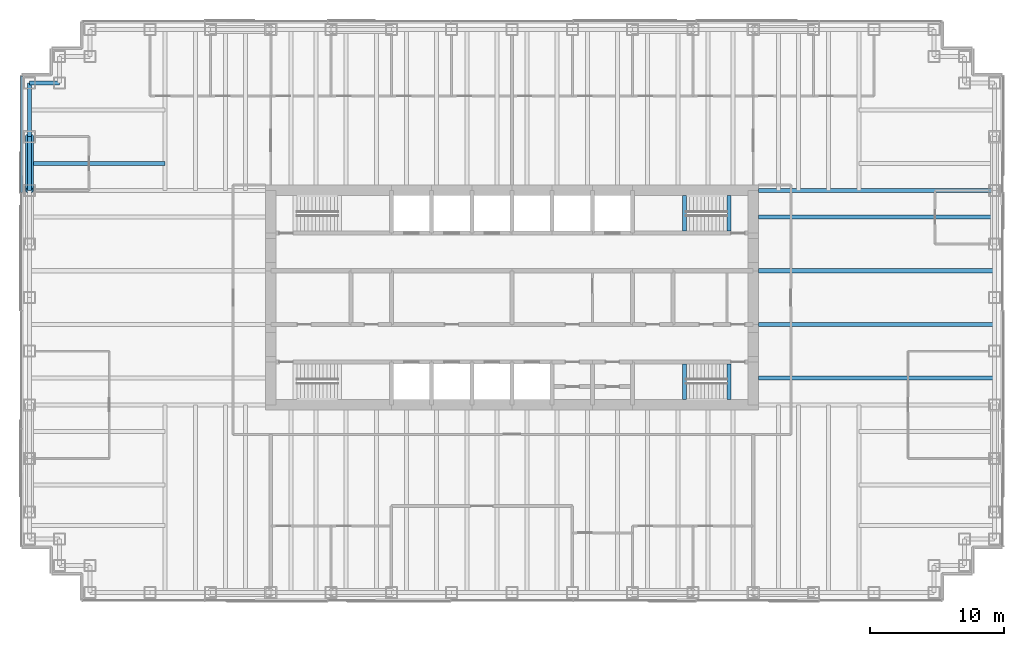
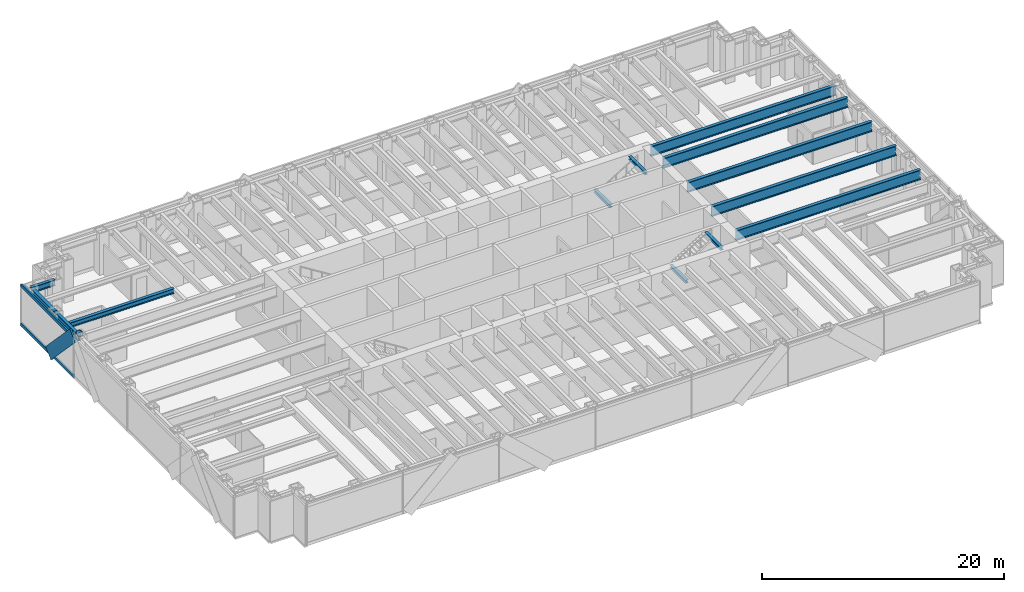
# One storey, part 4 of 17: 13 beams, 4 members, 1 element without a shape of its own.
"""IFC4 building model written with IfcOpenShell, lengths in metres."""

from ifc_helpers import new_model, si_unit, direction, frame, origin, origin_2d, place, context, subcontext, project, spatial, rectangle, hollow_circle, i_section, extrude, material, material_profile, profile_set, type_object, element, aggregate, save


model = new_model("IFC4")

# Units and contexts
model_context = context("Model", 3, precision=1e-05, world=origin(), true_north=direction((0.0, 1.0)))
body_context = subcontext(model_context, "Body", "Model", "MODEL_VIEW")
ifc_project = project(units=[si_unit("LENGTHUNIT", "METRE"), si_unit("AREAUNIT", "SQUARE_METRE"), si_unit("VOLUMEUNIT", "CUBIC_METRE"), si_unit("PLANEANGLEUNIT", "RADIAN"), si_unit("MASSUNIT", "GRAM", prefix="KILO")], contexts=[model_context])

# Site, building, storey
site_placement = place(None, origin())
site = spatial("IfcSite", under=ifc_project, at=site_placement, CompositionType="ELEMENT")
building_placement = place(site_placement, origin())
building = spatial("IfcBuilding", under=site, at=building_placement, Name="Rheinbord Bourse Tower", CompositionType="ELEMENT")
storey_placement = place(building_placement, frame((0.0, 0.0, 223.60009765625)))
storey = spatial("IfcBuildingStorey", under=building, at=storey_placement, Name="L50", CompositionType="ELEMENT", Elevation=223.60009765625)

# Curtain wall, members
ifc_material_1 = material(Name="Dark glass and black aluminium", Category="aluminium")
curtain_wall_type = type_object("IfcCurtainWallType", Name="CW2 DARK GLASS CURTAIN WALL", PredefinedType="USERDEFINED", material=ifc_material_1)
curtain_wall_placement = place(storey_placement, origin())
curtain_wall = element("IfcCurtainWall", 1, at=curtain_wall_placement, inside=storey, type_object=curtain_wall_type, Name="Curtain wall CW2 W L50", ObjectType="UNITISED CURTAIN WALL", PredefinedType="USERDEFINED")
ifc_material_2 = material(Name="Black anodised aluminium", Category="aluminium")
ifc_material_profile_1 = material_profile(ifc_material_2, rectangle(XDim=0.159912109375, YDim=1.2099609375, at=origin_2d()), Name="CW2 DIAGONAL MULLION 1210x160")
ifc_profile_set_1 = profile_set([ifc_material_profile_1], Name="Black anodised aluminium")
member_type_1 = type_object("IfcMemberType", Name="CW2 BLACK DIAGONAL MULLION", PredefinedType="USERDEFINED", material=ifc_profile_set_1)
member_1_placement = place(storey_placement, frame((-0.60009765625, 36.0, 0.0), z_axis=(0.0, -0.689659376744, 0.724133926887), x_axis=(1.0, 0.0, 0.0)))
member_1 = element("IfcMember", 2, at=member_1_placement, type_object=member_type_1, Name="CW2 diagonal mullion d", ObjectType="DIAGONAL MULLION", PredefinedType="USERDEFINED", context=body_context, shape_type="SweptSolid", body=[
    extrude(rectangle(XDim=0.159912109375, YDim=1.2099609375, at=origin_2d()), origin(), (0.0, 0.0, 1.0), 5.800048828125),
])
ifc_material_3 = material(Name="Black anodised aluminium", Category="aluminium")
ifc_material_profile_2 = material_profile(ifc_material_3, rectangle(XDim=0.159912109375, YDim=0.300048828125, at=origin_2d()), Name="CW2 TRANSOM 300x160")
ifc_profile_set_2 = profile_set([ifc_material_profile_2], Name="Black anodised aluminium")
member_type_2 = type_object("IfcMemberType", Name="CW2 BLACK TRANSOM", PredefinedType="USERDEFINED", material=ifc_profile_set_2)
member_2_placement = place(storey_placement, frame((-0.60009765625, 40.530029296875, 0.14990234375), z_axis=(0.0, -1.0, 0.0), x_axis=(1.0, 0.0, 0.0)))
member_2 = element("IfcMember", 3, at=member_2_placement, type_object=member_type_2, Name="CW2 transom 1.1", ObjectType="TRANSOM", PredefinedType="USERDEFINED", context=body_context, shape_type="SweptSolid", body=[
    extrude(rectangle(XDim=0.159912109375, YDim=0.300048828125, at=origin_2d()), origin(), (0.0, 0.0, 1.0), 8.695068359375),
])
member_3_placement = place(storey_placement, frame((-0.60009765625, 40.530029296875, 4.0498046875), z_axis=(0.0, -1.0, 0.0), x_axis=(1.0, 0.0, 0.0)))
member_3 = element("IfcMember", 4, at=member_3_placement, type_object=member_type_2, Name="CW2 transom 1.2", ObjectType="TRANSOM", PredefinedType="USERDEFINED", context=body_context, shape_type="SweptSolid", body=[
    extrude(rectangle(XDim=0.159912109375, YDim=0.300048828125, at=origin_2d()), origin(), (0.0, 0.0, 1.0), 8.695068359375),
])
aggregate(curtain_wall, [member_2, member_3, member_1])

# Beams
ifc_material_4 = material(Name="Steel S460", Category="steel")
ifc_material_profile_3 = material_profile(ifc_material_4, i_section(OverallWidth=0.302001953125, OverallDepth=1.008056640625, WebThickness=0.02099609375, FlangeThickness=0.0400390625, at=origin_2d()), Name="HEM 1000")
ifc_profile_set_3 = profile_set([ifc_material_profile_3], Name="Steel S460")
beam_type_1 = type_object("IfcBeamType", Name="END BEAM HEM 1000", PredefinedType="BEAM", material=ifc_profile_set_3)
for number, where, z_axis, x_axis, name in (
    (5, (54.39990234375, 18.0, 3.535888671875), (1.0, 0.0, 0.0), (0.0, 1.0, 0.0), "End beam east 18 L51"),
    (6, (54.39990234375, 22.0, 3.535888671875), (1.0, 0.0, 0.0), (0.0, 1.0, 0.0), "End beam east 22 L51"),
    (7, (54.39990234375, 26.0, 3.535888671875), (1.0, 0.0, 0.0), (0.0, 1.0, 0.0), "End beam east 26 L51"),
    (8, (54.39990234375, 30.0, 3.535888671875), (1.0, 0.0, 0.0), (0.0, 1.0, 0.0), "End beam east 30 L51"),
):
    element("IfcBeam", number, at=place(storey_placement, frame(where, z_axis=z_axis, x_axis=x_axis)), inside=storey, type_object=beam_type_1, Name=name, PredefinedType="BEAM", context=body_context, shape_type="SweptSolid", body=[
        extrude(i_section(OverallWidth=0.302001953125, OverallDepth=1.008056640625, WebThickness=0.02099609375, FlangeThickness=0.0400390625, at=origin_2d()), origin(), (0.0, 0.0, 1.0), 17.60009765625),
    ])
ifc_material_5 = material(Name="Steel S460", Category="steel")
ifc_material_profile_4 = material_profile(ifc_material_5, i_section(OverallWidth=0.302001953125, OverallDepth=1.008056640625, WebThickness=0.02099609375, FlangeThickness=0.0400390625, at=origin_2d()), Name="HEM 1000")
ifc_profile_set_4 = profile_set([ifc_material_profile_4], Name="Steel S460")
beam_type_2 = type_object("IfcBeamType", Name="GIRDER HEM 1000", PredefinedType="BEAM", material=ifc_profile_set_4)
beam_1_placement = place(storey_placement, frame((54.39990234375, 32.0, 3.535888671875), z_axis=(1.0, 0.0, 0.0), x_axis=(0.0, 1.0, 0.0)))
element("IfcBeam", 9, at=beam_1_placement, inside=storey, type_object=beam_type_2, Name="Girder east 32 L51", PredefinedType="BEAM", context=body_context, shape_type="SweptSolid", body=[
    extrude(i_section(OverallWidth=0.302001953125, OverallDepth=1.008056640625, WebThickness=0.02099609375, FlangeThickness=0.0400390625, at=origin_2d()), origin(), (0.0, 0.0, 1.0), 17.60009765625),
])
ifc_material_6 = material(Name="Steel S460", Category="steel")
ifc_material_profile_5 = material_profile(ifc_material_6, i_section(OverallWidth=0.300048828125, OverallDepth=0.300048828125, WebThickness=0.010986328125, FlangeThickness=0.01904296875, at=origin_2d()), Name="HEB 300")
ifc_profile_set_5 = profile_set([ifc_material_profile_5], Name="Steel S460")
beam_type_3 = type_object("IfcBeamType", Name="LANDING TRIMMER HEB 300", PredefinedType="BEAM", material=ifc_profile_set_5)
for number, where, z_axis, x_axis, name in (
    (10, (48.8701171875, 16.39990234375, 1.75), (0.0, 1.0, 0.0), (-1.0, 0.0, 0.0), "Landing trimmer ST3 L50"),
    (11, (52.199951171875, 16.39990234375, 3.889892578125), (0.0, 1.0, 0.0), (-1.0, 0.0, 0.0), "Well trimmer ST3 under L51"),
    (12, (48.8701171875, 28.949951171875, 1.75), (0.0, 1.0, 0.0), (-1.0, 0.0, 0.0), "Landing trimmer ST4 L50"),
    (13, (52.199951171875, 28.949951171875, 3.889892578125), (0.0, 1.0, 0.0), (-1.0, 0.0, 0.0), "Well trimmer ST4 under L51"),
):
    element("IfcBeam", number, at=place(storey_placement, frame(where, z_axis=z_axis, x_axis=x_axis)), inside=storey, type_object=beam_type_3, Name=name, PredefinedType="BEAM", context=body_context, shape_type="SweptSolid", body=[
        extrude(i_section(OverallWidth=0.300048828125, OverallDepth=0.300048828125, WebThickness=0.010986328125, FlangeThickness=0.01904296875, at=origin_2d()), origin(), (0.0, 0.0, 1.0), 2.650146484375),
    ])

# Member
ifc_material_7 = material(Name="Steel S460", Category="steel")
ifc_material_profile_6 = material_profile(ifc_material_7, hollow_circle(Radius=0.304931640625, WallThickness=0.0400390625, at=origin_2d()), Name="CHS 610x40")
ifc_profile_set_6 = profile_set([ifc_material_profile_6], Name="Steel S460")
member_type_3 = type_object("IfcMemberType", Name="MEGABRACE CHS 610x40", PredefinedType="BRACE", material=ifc_profile_set_6)
member_4_placement = place(storey_placement, frame((0.0, 36.0, 0.0), z_axis=(0.0, -0.689659376744, 0.724133926887), x_axis=(1.0, 0.0, 0.0)))
element("IfcMember", 14, at=member_4_placement, inside=storey, type_object=member_type_3, Name="Megabrace W face line d L50", PredefinedType="BRACE", context=body_context, shape_type="SweptSolid", body=[
    extrude(hollow_circle(Radius=0.304931640625, WallThickness=0.0400390625, at=origin_2d()), origin(), (0.0, 0.0, 1.0), 5.800048828125),
])

# Beams
ifc_material_8 = material(Name="Steel S460", Category="steel")
ifc_material_profile_7 = material_profile(ifc_material_8, i_section(OverallWidth=0.300048828125, OverallDepth=0.60009765625, WebThickness=0.015380859375, FlangeThickness=0.030029296875, at=origin_2d()), Name="HEB 600")
ifc_profile_set_7 = profile_set([ifc_material_profile_7], Name="Steel S460")
beam_type_4 = type_object("IfcBeamType", Name="SPANDREL HEB 600", PredefinedType="SPANDREL", material=ifc_profile_set_7)
beam_2_placement = place(storey_placement, frame((2.25, 40.0, 3.739990234375), z_axis=(-1.0, 0.0, 0.0), x_axis=(0.0, -1.0, 0.0)))
element("IfcBeam", 15, at=beam_2_placement, inside=storey, type_object=beam_type_4, Name="Spandrel NW-B-NW-A under L51", PredefinedType="SPANDREL", context=body_context, shape_type="SweptSolid", body=[
    extrude(i_section(OverallWidth=0.300048828125, OverallDepth=0.60009765625, WebThickness=0.015380859375, FlangeThickness=0.030029296875, at=origin_2d()), origin(), (0.0, 0.0, 1.0), 2.25),
])
for number, where, z_axis, x_axis, name in (
    (16, (0.0, 40.0, 3.739990234375), (0.0, -1.0, 0.0), (1.0, 0.0, 0.0), "Spandrel NW-A-W-36 under L51"),
    (17, (0.0, 36.0, 3.739990234375), (0.0, -1.0, 0.0), (1.0, 0.0, 0.0), "Spandrel W-36-W-32 under L51"),
):
    element("IfcBeam", number, at=place(storey_placement, frame(where, z_axis=z_axis, x_axis=x_axis)), inside=storey, type_object=beam_type_4, Name=name, PredefinedType="SPANDREL", context=body_context, shape_type="SweptSolid", body=[
        extrude(i_section(OverallWidth=0.300048828125, OverallDepth=0.60009765625, WebThickness=0.015380859375, FlangeThickness=0.030029296875, at=origin_2d()), origin(), (0.0, 0.0, 1.0), 4.0),
    ])
ifc_material_9 = material(Name="Steel S460", Category="steel")
ifc_material_profile_8 = material_profile(ifc_material_9, i_section(OverallWidth=0.300048828125, OverallDepth=0.5, WebThickness=0.014404296875, FlangeThickness=0.028076171875, at=origin_2d()), Name="HEB 500")
ifc_profile_set_8 = profile_set([ifc_material_profile_8], Name="Steel S460")
beam_type_5 = type_object("IfcBeamType", Name="TIE BEAM HEB 500", PredefinedType="JOIST", material=ifc_profile_set_8)
beam_3_placement = place(storey_placement, frame((0.0, 34.0, 3.789794921875), z_axis=(1.0, 0.0, 0.0), x_axis=(0.0, 1.0, 0.0)))
element("IfcBeam", 18, at=beam_3_placement, inside=storey, type_object=beam_type_5, Name="Tie west 34 L51", PredefinedType="JOIST", context=body_context, shape_type="SweptSolid", body=[
    extrude(i_section(OverallWidth=0.300048828125, OverallDepth=0.5, WebThickness=0.014404296875, FlangeThickness=0.028076171875, at=origin_2d()), origin(), (0.0, 0.0, 1.0), 10.125),
])

save(model, "model.ifc")
